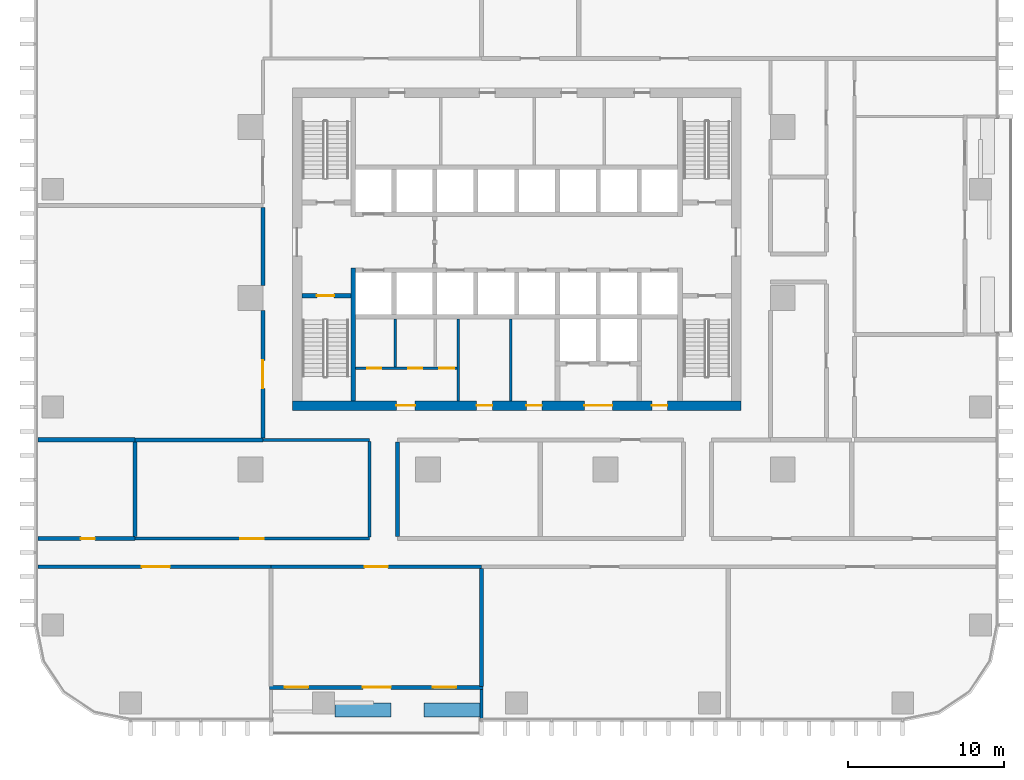
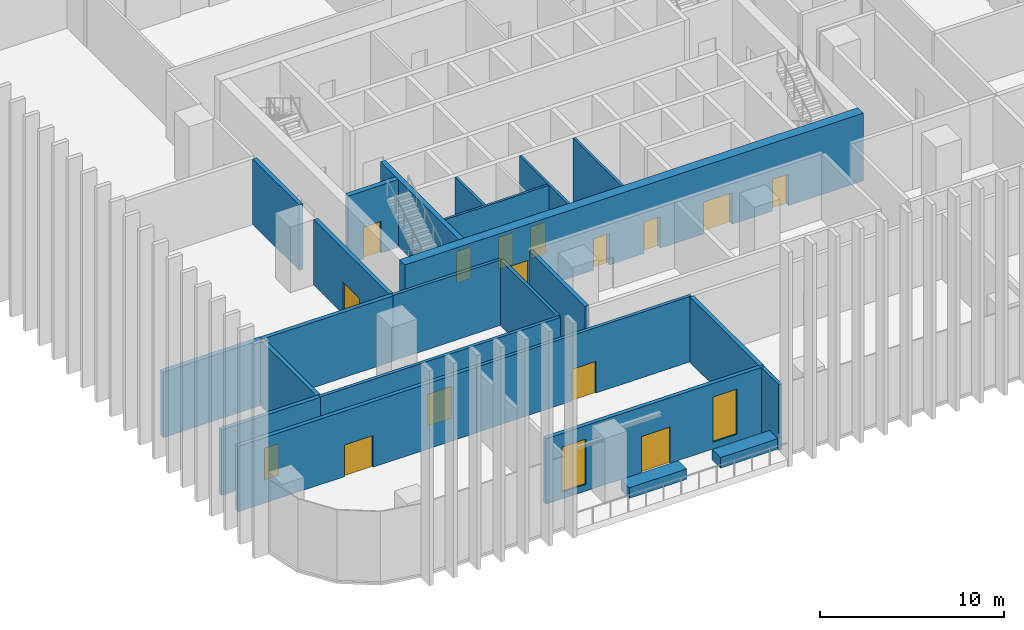
# One storey, part 7 of 17: 24 walls, 15 doors, 2 windows, 17 openings.
"""IFC4 building model written with IfcOpenShell, lengths in metres."""

from ifc_helpers import new_model, si_unit, direction, frame, frame_2d, origin, place, context, subcontext, project, spatial, rectangle, extrude, material, layer, layer_set, type_object, element, fill, save


model = new_model("IFC4")

# Units and contexts
model_context = context("Model", 3, precision=1e-05, world=origin(), true_north=direction((0.0, 1.0)))
body_context = subcontext(model_context, "Body", "Model", "MODEL_VIEW")
ifc_project = project(units=[si_unit("LENGTHUNIT", "METRE"), si_unit("AREAUNIT", "SQUARE_METRE"), si_unit("VOLUMEUNIT", "CUBIC_METRE"), si_unit("PLANEANGLEUNIT", "RADIAN"), si_unit("MASSUNIT", "GRAM", prefix="KILO")], contexts=[model_context])

# Site, building, storey
site_placement = place(None, origin())
site = spatial("IfcSite", under=ifc_project, at=site_placement, CompositionType="ELEMENT")
building_placement = place(site_placement, origin())
building = spatial("IfcBuilding", under=site, at=building_placement, Name="Mopane Tessera Tower", CompositionType="ELEMENT")
storey_placement = place(building_placement, frame((0.0, 0.0, 74.199951171875)))
storey = spatial("IfcBuildingStorey", under=building, at=storey_placement, Name="L14", CompositionType="ELEMENT", Elevation=74.199951171875)

# Wall, openings, doors
ifc_material_1 = material(Name="Fire-rated gypsum board partition")
ifc_layer_1 = layer(ifc_material_1, 0.14990234375)
ifc_layer_set_1 = layer_set([ifc_layer_1], Name="Fire-rated gypsum board partition")
wall_type_1 = type_object("IfcWallType", Name="Core room partition 150 mm", PredefinedType="PARTITIONING", material=ifc_layer_set_1)
wall_1_placement = place(storey_placement, frame((-10.35009765625, -4.5, 0.0), z_axis=(0.0, 0.0, 1.0), x_axis=(1.0, 0.0, 0.0)))
wall_1 = element("IfcWall", 1, at=wall_1_placement, inside=storey, type_object=wall_type_1, Name="L14 WC partition", PredefinedType="PARTITIONING", context=body_context, shape_type="SweptSolid", body=[
    extrude(rectangle(XDim=6.525146484375, YDim=0.14990234375, at=frame_2d((3.2626953125, 0.0))), origin(), (0.0, 0.0, 1.0), 4.5),
])
opening_1_placement = place(wall_1_placement, frame((0.75, 0.0, 0.0)))
opening_1 = element("IfcOpeningElement", 2, at=opening_1_placement, cuts=wall_1, Name="Opening WD1", PredefinedType="OPENING", context=body_context, shape_type="SweptSolid", body=[
    extrude(rectangle(XDim=0.89990234375, YDim=2.10009765625, at=frame_2d((0.449951171875, 1.050048828125))), frame((0.0, 0.0869140625, 0.0), z_axis=(0.0, -1.0, 0.0), x_axis=(1.0, 0.0, 0.0)), (0.0, 0.0, 1.0), 0.173828125),
])
opening_2_placement = place(wall_1_placement, frame((3.382568359375, 0.0, 0.0)))
opening_2 = element("IfcOpeningElement", 3, at=opening_2_placement, cuts=wall_1, Name="Opening WD1", PredefinedType="OPENING", context=body_context, shape_type="SweptSolid", body=[
    extrude(rectangle(XDim=0.89990234375, YDim=2.10009765625, at=frame_2d((0.449951171875, 1.050048828125))), frame((0.0, 0.0869140625, 0.0), z_axis=(0.0, -1.0, 0.0), x_axis=(1.0, 0.0, 0.0)), (0.0, 0.0, 1.0), 0.173828125),
])
opening_3_placement = place(wall_1_placement, frame((5.382568359375, 0.0, 0.0)))
opening_3 = element("IfcOpeningElement", 4, at=opening_3_placement, cuts=wall_1, Name="Opening WD2", PredefinedType="OPENING", context=body_context, shape_type="SweptSolid", body=[
    extrude(rectangle(XDim=0.949951171875, YDim=2.10009765625, at=frame_2d((0.47509765625, 1.050048828125))), frame((0.0, 0.0869140625, 0.0), z_axis=(0.0, -1.0, 0.0), x_axis=(1.0, 0.0, 0.0)), (0.0, 0.0, 1.0), 0.173828125),
])
ifc_material_2 = material(Name="Timber door", Category="wood")
door_type_1 = type_object("IfcDoorType", Name="Accessible WC door 950 x 2100", OperationType="SINGLE_SWING_LEFT", PredefinedType="DOOR", material=ifc_material_2)
door_1_placement = place(opening_3_placement, origin())
door_1 = element("IfcDoor", 5, at=door_1_placement, inside=storey, type_object=door_type_1, Name="L14 Accessible WC door", OperationType="SINGLE_SWING_LEFT", OverallHeight=2.10009765625, OverallWidth=0.949951171875, PredefinedType="DOOR", context=body_context, shape_type="SweptSolid", body=[
    extrude(rectangle(XDim=0.949951171875, YDim=2.10009765625, at=frame_2d((0.47509765625, 1.050048828125))), frame((0.0, 0.02490234375, 0.0), z_axis=(0.0, -1.0, 0.0), x_axis=(1.0, 0.0, 0.0)), (0.0, 0.0, 1.0), 0.050048828125),
])
fill(opening_3, door_1)
ifc_material_3 = material(Name="Timber door", Category="wood")
door_type_2 = type_object("IfcDoorType", Name="WC cubicle door 900 x 2100", OperationType="SINGLE_SWING_LEFT", PredefinedType="DOOR", material=ifc_material_3)
door_2_placement = place(opening_1_placement, origin())
door_2 = element("IfcDoor", 6, at=door_2_placement, inside=storey, type_object=door_type_2, Name="L14 Men's WC door", OperationType="SINGLE_SWING_LEFT", OverallHeight=2.10009765625, OverallWidth=0.89990234375, PredefinedType="DOOR", context=body_context, shape_type="SweptSolid", body=[
    extrude(rectangle(XDim=0.89990234375, YDim=2.10009765625, at=frame_2d((0.449951171875, 1.050048828125))), frame((0.0, 0.02490234375, 0.0), z_axis=(0.0, -1.0, 0.0), x_axis=(1.0, 0.0, 0.0)), (0.0, 0.0, 1.0), 0.050048828125),
])
fill(opening_1, door_2)
door_3_placement = place(opening_2_placement, origin())
door_3 = element("IfcDoor", 7, at=door_3_placement, inside=storey, type_object=door_type_2, Name="L14 Women's WC door", OperationType="SINGLE_SWING_LEFT", OverallHeight=2.10009765625, OverallWidth=0.89990234375, PredefinedType="DOOR", context=body_context, shape_type="SweptSolid", body=[
    extrude(rectangle(XDim=0.89990234375, YDim=2.10009765625, at=frame_2d((0.449951171875, 1.050048828125))), frame((0.0, 0.02490234375, 0.0), z_axis=(0.0, -1.0, 0.0), x_axis=(1.0, 0.0, 0.0)), (0.0, 0.0, 1.0), 0.050048828125),
])
fill(opening_2, door_3)

# Walls
wall_2_placement = place(storey_placement, frame((-7.800048828125, -4.425048828125, 0.0), z_axis=(0.0, 0.0, 1.0), x_axis=(0.0, 1.0, 0.0)))
element("IfcWall", 8, at=wall_2_placement, inside=storey, type_object=wall_type_1, Name="L14 WC partition", PredefinedType="PARTITIONING", context=body_context, shape_type="SweptSolid", body=[
    extrude(rectangle(XDim=3.074951171875, YDim=0.14990234375, at=frame_2d((1.53759765625, 0.0))), origin(), (0.0, 0.0, 1.0), 4.5),
])
for number, where, z_axis, x_axis, name in (
    (9, (-3.75, -6.60009765625, 0.0), (0.0, 0.0, 1.0), (0.0, 1.0, 0.0), "L14 Room partition"),
    (10, (-0.375, -6.60009765625, 0.0), (0.0, 0.0, 1.0), (0.0, 1.0, 0.0), "L14 Room partition"),
):
    element("IfcWall", number, at=place(storey_placement, frame(where, z_axis=z_axis, x_axis=x_axis)), inside=storey, type_object=wall_type_1, Name=name, PredefinedType="PARTITIONING", context=body_context, shape_type="SweptSolid", body=[
        extrude(rectangle(XDim=5.25, YDim=0.14990234375, at=frame_2d((2.625, 0.0))), origin(), (0.0, 0.0, 1.0), 4.5),
    ])

# Wall, openings, doors
ifc_material_4 = material(Name="Concrete C70/85", Category="concrete")
ifc_layer_2 = layer(ifc_material_4, 0.60009765625)
ifc_layer_set_2 = layer_set([ifc_layer_2], Name="Concrete C70/85")
wall_type_2 = type_object("IfcWallType", Name="Core shear wall 600 mm", PredefinedType="SHEAR", material=ifc_layer_set_2)
wall_3_placement = place(storey_placement, frame((-14.39990234375, -6.89990234375, 0.0), z_axis=(0.0, 0.0, 1.0), x_axis=(1.0, 0.0, 0.0)))
wall_3 = element("IfcWall", 11, at=wall_3_placement, inside=storey, type_object=wall_type_2, Name="L14 Core wall south", PredefinedType="SHEAR", context=body_context, shape_type="SweptSolid", body=[
    extrude(rectangle(XDim=28.7998046875, YDim=0.60009765625, at=frame_2d((14.39990234375, 0.0))), origin(), (0.0, 0.0, 1.0), 4.5),
])
opening_4_placement = place(wall_3_placement, frame((6.675048828125, 0.0, 0.0)))
opening_4 = element("IfcOpeningElement", 12, at=opening_4_placement, cuts=wall_3, Name="Opening WD3", PredefinedType="OPENING", context=body_context, shape_type="SweptSolid", body=[
    extrude(rectangle(XDim=1.199951171875, YDim=2.10009765625, at=frame_2d((0.60009765625, 1.050048828125))), frame((0.0, 0.31201171875, 0.0), z_axis=(0.0, -1.0, 0.0), x_axis=(1.0, 0.0, 0.0)), (0.0, 0.0, 1.0), 0.6240234375),
])
opening_5_placement = place(wall_3_placement, frame((11.83740234375, 0.0, 0.0)))
opening_5 = element("IfcOpeningElement", 13, at=opening_5_placement, cuts=wall_3, Name="Opening RD1", PredefinedType="OPENING", context=body_context, shape_type="SweptSolid", body=[
    extrude(rectangle(XDim=1.0, YDim=2.10009765625, at=frame_2d((0.5, 1.050048828125))), frame((0.0, 0.31201171875, 0.0), z_axis=(0.0, -1.0, 0.0), x_axis=(1.0, 0.0, 0.0)), (0.0, 0.0, 1.0), 0.6240234375),
])
opening_6_placement = place(wall_3_placement, frame((15.02490234375, 0.0, 0.0)))
opening_6 = element("IfcOpeningElement", 14, at=opening_6_placement, cuts=wall_3, Name="Opening RD1", PredefinedType="OPENING", context=body_context, shape_type="SweptSolid", body=[
    extrude(rectangle(XDim=1.0, YDim=2.10009765625, at=frame_2d((0.5, 1.050048828125))), frame((0.0, 0.31201171875, 0.0), z_axis=(0.0, -1.0, 0.0), x_axis=(1.0, 0.0, 0.0)), (0.0, 0.0, 1.0), 0.6240234375),
])
opening_7_placement = place(wall_3_placement, frame((18.75, 0.0, 0.0)))
opening_7 = element("IfcOpeningElement", 15, at=opening_7_placement, cuts=wall_3, Name="Opening SD2", PredefinedType="OPENING", context=body_context, shape_type="SweptSolid", body=[
    extrude(rectangle(XDim=1.800048828125, YDim=2.10009765625, at=frame_2d((0.89990234375, 1.050048828125))), frame((0.0, 0.31201171875, 0.0), z_axis=(0.0, -1.0, 0.0), x_axis=(1.0, 0.0, 0.0)), (0.0, 0.0, 1.0), 0.6240234375),
])
opening_8_placement = place(wall_3_placement, frame((23.08740234375, 0.0, 0.0)))
opening_8 = element("IfcOpeningElement", 16, at=opening_8_placement, cuts=wall_3, Name="Opening RD1", PredefinedType="OPENING", context=body_context, shape_type="SweptSolid", body=[
    extrude(rectangle(XDim=1.0, YDim=2.10009765625, at=frame_2d((0.5, 1.050048828125))), frame((0.0, 0.31201171875, 0.0), z_axis=(0.0, -1.0, 0.0), x_axis=(1.0, 0.0, 0.0)), (0.0, 0.0, 1.0), 0.6240234375),
])
ifc_material_5 = material(Name="Steel fire door", Category="steel")
door_type_3 = type_object("IfcDoorType", Name="Core entrance double door 1800 x 2100", OperationType="DOUBLE_DOOR_SINGLE_SWING", PredefinedType="DOOR", material=ifc_material_5)
door_4_placement = place(opening_7_placement, origin())
door_4 = element("IfcDoor", 17, at=door_4_placement, inside=storey, type_object=door_type_3, Name="L14 Service lobby door", OperationType="DOUBLE_DOOR_SINGLE_SWING", OverallHeight=2.10009765625, OverallWidth=1.800048828125, PredefinedType="DOOR", context=body_context, shape_type="SweptSolid", body=[
    extrude(rectangle(XDim=1.800048828125, YDim=2.10009765625, at=frame_2d((0.89990234375, 1.050048828125))), frame((0.0, 0.02490234375, 0.0), z_axis=(0.0, -1.0, 0.0), x_axis=(1.0, 0.0, 0.0)), (0.0, 0.0, 1.0), 0.050048828125),
])
fill(opening_7, door_4)
ifc_material_6 = material(Name="Timber door", Category="wood")
door_type_4 = type_object("IfcDoorType", Name="Core room door 1000 x 2100", OperationType="SINGLE_SWING_LEFT", PredefinedType="DOOR", material=ifc_material_6)
door_5_placement = place(opening_5_placement, origin())
door_5 = element("IfcDoor", 18, at=door_5_placement, inside=storey, type_object=door_type_4, Name="L14 Room door", OperationType="SINGLE_SWING_LEFT", OverallHeight=2.10009765625, OverallWidth=1.0, PredefinedType="DOOR", context=body_context, shape_type="SweptSolid", body=[
    extrude(rectangle(XDim=1.0, YDim=2.10009765625, at=frame_2d((0.5, 1.050048828125))), frame((0.0, 0.02490234375, 0.0), z_axis=(0.0, -1.0, 0.0), x_axis=(1.0, 0.0, 0.0)), (0.0, 0.0, 1.0), 0.050048828125),
])
fill(opening_5, door_5)
door_6_placement = place(opening_6_placement, origin())
door_6 = element("IfcDoor", 19, at=door_6_placement, inside=storey, type_object=door_type_4, Name="L14 Room door", OperationType="SINGLE_SWING_LEFT", OverallHeight=2.10009765625, OverallWidth=1.0, PredefinedType="DOOR", context=body_context, shape_type="SweptSolid", body=[
    extrude(rectangle(XDim=1.0, YDim=2.10009765625, at=frame_2d((0.5, 1.050048828125))), frame((0.0, 0.02490234375, 0.0), z_axis=(0.0, -1.0, 0.0), x_axis=(1.0, 0.0, 0.0)), (0.0, 0.0, 1.0), 0.050048828125),
])
fill(opening_6, door_6)
door_7_placement = place(opening_8_placement, origin())
door_7 = element("IfcDoor", 20, at=door_7_placement, inside=storey, type_object=door_type_4, Name="L14 Room door", OperationType="SINGLE_SWING_LEFT", OverallHeight=2.10009765625, OverallWidth=1.0, PredefinedType="DOOR", context=body_context, shape_type="SweptSolid", body=[
    extrude(rectangle(XDim=1.0, YDim=2.10009765625, at=frame_2d((0.5, 1.050048828125))), frame((0.0, 0.02490234375, 0.0), z_axis=(0.0, -1.0, 0.0), x_axis=(1.0, 0.0, 0.0)), (0.0, 0.0, 1.0), 0.050048828125),
])
fill(opening_8, door_7)
ifc_material_7 = material(Name="Timber door", Category="wood")
door_type_5 = type_object("IfcDoorType", Name="WC lobby door 1200 x 2100", OperationType="SINGLE_SWING_LEFT", PredefinedType="DOOR", material=ifc_material_7)
door_8_placement = place(opening_4_placement, origin())
door_8 = element("IfcDoor", 21, at=door_8_placement, inside=storey, type_object=door_type_5, Name="L14 WC lobby door", OperationType="SINGLE_SWING_LEFT", OverallHeight=2.10009765625, OverallWidth=1.199951171875, PredefinedType="DOOR", context=body_context, shape_type="SweptSolid", body=[
    extrude(rectangle(XDim=1.199951171875, YDim=2.10009765625, at=frame_2d((0.60009765625, 1.050048828125))), frame((0.0, 0.02490234375, 0.0), z_axis=(0.0, -1.0, 0.0), x_axis=(1.0, 0.0, 0.0)), (0.0, 0.0, 1.0), 0.050048828125),
])
fill(opening_4, door_8)

# Wall
ifc_material_8 = material(Name="Concrete C60/75", Category="concrete")
ifc_layer_3 = layer(ifc_material_8, 0.300048828125)
ifc_layer_set_3 = layer_set([ifc_layer_3], Name="Concrete C60/75")
wall_type_3 = type_object("IfcWallType", Name="Core spine wall 300 mm", PredefinedType="SHEAR", material=ifc_layer_set_3)
wall_4_placement = place(storey_placement, frame((-10.5, -6.60009765625, 0.0), z_axis=(0.0, 0.0, 1.0), x_axis=(0.0, 1.0, 0.0)))
element("IfcWall", 22, at=wall_4_placement, inside=storey, type_object=wall_type_3, Name="L14 Core spine wall", PredefinedType="SHEAR", context=body_context, shape_type="SweptSolid", body=[
    extrude(rectangle(XDim=8.550048828125, YDim=0.300048828125, at=frame_2d((4.27490234375, 0.0))), origin(), (0.0, 0.0, 1.0), 4.5),
])

# Wall, opening, door
ifc_material_9 = material(Name="Gypsum board on steel studs, two layers each face, mineral wool infill", Category="steel")
ifc_layer_4 = layer(ifc_material_9, 0.199951171875)
ifc_layer_set_4 = layer_set([ifc_layer_4], Name="Gypsum board on steel studs, two layers each face, mineral wool infill")
wall_type_4 = type_object("IfcWallType", Name="Gypsum board corridor wall 200, rated EI 60", PredefinedType="PARTITIONING", material=ifc_layer_set_4)
wall_5_placement = place(storey_placement, frame((-15.780029296875, -17.25, 0.0), z_axis=(0.0, 0.0, 1.0), x_axis=(1.0, 0.0, 0.0)))
wall_5 = element("IfcWall", 23, at=wall_5_placement, inside=storey, type_object=wall_type_4, Name="Partition L14:000", PredefinedType="PARTITIONING", context=body_context, shape_type="SweptSolid", body=[
    extrude(rectangle(XDim=13.525146484375, YDim=0.199951171875, at=frame_2d((6.7626953125, 0.0))), origin(), (0.0, 0.0, 1.0), 4.35009765625),
])
opening_9_placement = place(wall_5_placement, frame((6.012451171875, 0.0, 0.0)))
opening_9 = element("IfcOpeningElement", 24, at=opening_9_placement, cuts=wall_5, Name="Opening L14-20", PredefinedType="OPENING", context=body_context, shape_type="SweptSolid", body=[
    extrude(rectangle(XDim=1.5, YDim=2.10009765625, at=frame_2d((0.75, 1.050048828125))), frame((0.0, 0.112060546875, 0.0), z_axis=(0.0, -1.0, 0.0), x_axis=(1.0, 0.0, 0.0)), (0.0, 0.0, 1.0), 0.223876953125),
])
ifc_material_10 = material(Name="Timber veneered steel-framed fire door", Category="steel")
door_type_6 = type_object("IfcDoorType", Name="Fire door pair FD60 1500 x 2100", OperationType="DOUBLE_DOOR_SINGLE_SWING", PredefinedType="DOOR", material=ifc_material_10)
door_9_placement = place(opening_9_placement, origin())
door_9 = element("IfcDoor", 25, at=door_9_placement, inside=storey, type_object=door_type_6, Name="Door L14-20", ObjectType="D17A", OperationType="DOUBLE_DOOR_SINGLE_SWING", OverallHeight=2.10009765625, OverallWidth=1.5, PredefinedType="DOOR", context=body_context, shape_type="SweptSolid", body=[
    extrude(rectangle(XDim=1.5, YDim=2.10009765625, at=frame_2d((0.75, 1.050048828125))), frame((0.0, 0.02490234375, 0.0), z_axis=(0.0, -1.0, 0.0), x_axis=(1.0, 0.0, 0.0)), (0.0, 0.0, 1.0), 0.050048828125),
])
fill(opening_9, door_9)

wall_6_placement = place(storey_placement, frame((-24.52490234375, -15.449951171875, 0.0), z_axis=(0.0, 0.0, 1.0), x_axis=(1.0, 0.0, 0.0)))
wall_6 = element("IfcWall", 26, at=wall_6_placement, inside=storey, type_object=wall_type_4, Name="Partition L14:003", PredefinedType="PARTITIONING", context=body_context, shape_type="SweptSolid", body=[
    extrude(rectangle(XDim=15.06982421875, YDim=0.199951171875, at=frame_2d((7.534912109375, 0.0))), origin(), (0.0, 0.0, 1.0), 4.35009765625),
])
opening_10_placement = place(wall_6_placement, frame((6.784912109375, 0.0, 0.0)))
opening_10 = element("IfcOpeningElement", 27, at=opening_10_placement, cuts=wall_6, Name="Opening L14-15", PredefinedType="OPENING", context=body_context, shape_type="SweptSolid", body=[
    extrude(rectangle(XDim=1.5, YDim=2.10009765625, at=frame_2d((0.75, 1.050048828125))), frame((0.0, 0.112060546875, 0.0), z_axis=(0.0, -1.0, 0.0), x_axis=(1.0, 0.0, 0.0)), (0.0, 0.0, 1.0), 0.223876953125),
])
door_10_placement = place(opening_10_placement, origin())
door_10 = element("IfcDoor", 28, at=door_10_placement, inside=storey, type_object=door_type_6, Name="Door L14-15", ObjectType="D17A", OperationType="DOUBLE_DOOR_SINGLE_SWING", OverallHeight=2.10009765625, OverallWidth=1.5, PredefinedType="DOOR", context=body_context, shape_type="SweptSolid", body=[
    extrude(rectangle(XDim=1.5, YDim=2.10009765625, at=frame_2d((0.75, 1.050048828125))), frame((0.0, 0.02490234375, 0.0), z_axis=(0.0, -1.0, 0.0), x_axis=(1.0, 0.0, 0.0)), (0.0, 0.0, 1.0), 0.050048828125),
])
fill(opening_10, door_10)

# Walls
wall_7_placement = place(storey_placement, frame((-16.300048828125, -9.10009765625, 0.0), z_axis=(0.0, 0.0, 1.0), x_axis=(1.0, 0.0, 0.0)))
element("IfcWall", 29, at=wall_7_placement, inside=storey, type_object=wall_type_4, Name="Partition L14:007", PredefinedType="PARTITIONING", context=body_context, shape_type="SweptSolid", body=[
    extrude(rectangle(XDim=6.844970703125, YDim=0.199951171875, at=frame_2d((3.42236328125, 0.0))), origin(), (0.0, 0.0, 1.0), 4.35009765625),
])
wall_8_placement = place(storey_placement, frame((-9.455078125, -15.35009765625, 0.0), z_axis=(0.0, 0.0, 1.0), x_axis=(0.0, 1.0, 0.0)))
element("IfcWall", 30, at=wall_8_placement, inside=storey, type_object=wall_type_4, Name="Partition L14:030", PredefinedType="PARTITIONING", context=body_context, shape_type="SweptSolid", body=[
    extrude(rectangle(XDim=6.150146484375, YDim=0.199951171875, at=frame_2d((3.0751953125, 0.0))), origin(), (0.0, 0.0, 1.0), 4.35009765625),
])

# Wall, opening, door
ifc_material_11 = material(Name="Concrete C50/60", Category="concrete")
ifc_layer_5 = layer(ifc_material_11, 0.300048828125)
ifc_layer_set_5 = layer_set([ifc_layer_5], Name="Concrete C50/60")
wall_type_5 = type_object("IfcWallType", Name="Lift and stair shaft wall 300 mm", PredefinedType="SOLIDWALL", material=ifc_layer_set_5)
wall_9_placement = place(storey_placement, frame((-13.800048828125, 0.14990234375, 0.0), z_axis=(0.0, 0.0, 1.0), x_axis=(1.0, 0.0, 0.0)))
wall_9 = element("IfcWall", 31, at=wall_9_placement, inside=storey, type_object=wall_type_5, Name="L14 Stair enclosure wall", PredefinedType="SOLIDWALL", context=body_context, shape_type="SweptSolid", body=[
    extrude(rectangle(XDim=3.150146484375, YDim=0.300048828125, at=frame_2d((1.5751953125, 0.0))), origin(), (0.0, 0.0, 1.0), 4.5),
])
opening_11_placement = place(wall_9_placement, frame((0.97509765625, 0.0, 0.0)))
opening_11 = element("IfcOpeningElement", 32, at=opening_11_placement, cuts=wall_9, Name="Opening SD1", PredefinedType="OPENING", context=body_context, shape_type="SweptSolid", body=[
    extrude(rectangle(XDim=1.10009765625, YDim=2.10009765625, at=frame_2d((0.550048828125, 1.050048828125))), frame((0.0, 0.162109375, 0.0), z_axis=(0.0, -1.0, 0.0), x_axis=(1.0, 0.0, 0.0)), (0.0, 0.0, 1.0), 0.323974609375),
])
ifc_material_12 = material(Name="Steel fire door", Category="steel")
door_type_7 = type_object("IfcDoorType", Name="Stair fire door 1100 x 2100", OperationType="SINGLE_SWING_LEFT", PredefinedType="DOOR", material=ifc_material_12)
door_11_placement = place(opening_11_placement, origin())
door_11 = element("IfcDoor", 33, at=door_11_placement, inside=storey, type_object=door_type_7, Name="L14 Stair door ST1", OperationType="SINGLE_SWING_LEFT", OverallHeight=2.10009765625, OverallWidth=1.10009765625, PredefinedType="DOOR", context=body_context, shape_type="SweptSolid", body=[
    extrude(rectangle(XDim=1.10009765625, YDim=2.10009765625, at=frame_2d((0.550048828125, 1.050048828125))), frame((0.0, 0.02490234375, 0.0), z_axis=(0.0, -1.0, 0.0), x_axis=(1.0, 0.0, 0.0)), (0.0, 0.0, 1.0), 0.050048828125),
])
fill(opening_11, door_11)

# Walls
ifc_material_13 = material(Name="Reinforced concrete C32/40 with waterproofing", Category="concrete")
ifc_layer_6 = layer(ifc_material_13, 0.89990234375)
ifc_layer_set_6 = layer_set([ifc_layer_6], Name="Reinforced concrete C32/40 with waterproofing")
wall_type_6 = type_object("IfcWallType", Name="Planter trough 3600 x 900", PredefinedType="STANDARD", material=ifc_layer_set_6)
for number, where, z_axis, x_axis, name in (
    (34, (-11.679931640625, -26.449951171875, 0.0), (0.0, 0.0, 1.0), (1.0, 0.0, 0.0), "e:nw:L14:N3:pl0"),
    (35, (-5.95458984375, -26.449951171875, 0.0), (0.0, 0.0, 1.0), (1.0, 0.0, 0.0), "e:nw:L14:N3:pl1"),
):
    element("IfcWall", number, at=place(storey_placement, frame(where, z_axis=z_axis, x_axis=x_axis)), inside=storey, type_object=wall_type_6, Name=name, PredefinedType="STANDARD", context=body_context, shape_type="SweptSolid", body=[
        extrude(rectangle(XDim=3.60009765625, YDim=0.89990234375, at=frame_2d((1.800048828125, 0.0))), origin(), (0.0, 0.0, 1.0), 0.699951171875),
    ])
ifc_material_14 = material(Name="Plastered concrete blockwork C20/25", Category="masonry")
ifc_layer_7 = layer(ifc_material_14, 0.300048828125)
ifc_layer_set_7 = layer_set([ifc_layer_7], Name="Plastered concrete blockwork C20/25")
wall_type_7 = type_object("IfcWallType", Name="Plastered blockwork separation wall 300, rated EI 120", PredefinedType="PARTITIONING", material=ifc_layer_set_7)
wall_10_placement = place(storey_placement, frame((-30.75, -9.10009765625, 0.0), z_axis=(0.0, 0.0, 1.0), x_axis=(1.0, 0.0, 0.0)))
element("IfcWall", 36, at=wall_10_placement, inside=storey, type_object=wall_type_7, Name="Partition L14:012", PredefinedType="PARTITIONING", context=body_context, shape_type="SweptSolid", body=[
    extrude(rectangle(XDim=6.22509765625, YDim=0.300048828125, at=frame_2d((3.112548828125, 0.0))), origin(), (0.0, 0.0, 1.0), 4.35009765625),
])

# Wall, opening, door
ifc_material_15 = material(Name="Plastered concrete blockwork C20/25", Category="masonry")
ifc_layer_8 = layer(ifc_material_15, 0.25)
ifc_layer_set_8 = layer_set([ifc_layer_8], Name="Plastered concrete blockwork C20/25")
wall_type_8 = type_object("IfcWallType", Name="Plastered blockwork wall 250, rated EI 120", PredefinedType="PARTITIONING", material=ifc_layer_set_8)
wall_11_placement = place(storey_placement, frame((-30.75, -17.25, 0.0), z_axis=(0.0, 0.0, 1.0), x_axis=(1.0, 0.0, 0.0)))
wall_11 = element("IfcWall", 37, at=wall_11_placement, inside=storey, type_object=wall_type_8, Name="Partition L14:001", PredefinedType="PARTITIONING", context=body_context, shape_type="SweptSolid", body=[
    extrude(rectangle(XDim=14.969970703125, YDim=0.25, at=frame_2d((7.48486328125, 0.0))), origin(), (0.0, 0.0, 1.0), 4.35009765625),
])
opening_12_placement = place(wall_11_placement, frame((6.68505859375, 0.0, 0.0)))
opening_12 = element("IfcOpeningElement", 38, at=opening_12_placement, cuts=wall_11, Name="Opening L14-05", PredefinedType="OPENING", context=body_context, shape_type="SweptSolid", body=[
    extrude(rectangle(XDim=1.800048828125, YDim=2.10009765625, at=frame_2d((0.89990234375, 1.050048828125))), frame((0.0, 0.136962890625, 0.0), z_axis=(0.0, -1.0, 0.0), x_axis=(1.0, 0.0, 0.0)), (0.0, 0.0, 1.0), 0.27392578125),
])
ifc_material_16 = material(Name="Timber veneered steel-framed fire door", Category="steel")
door_type_8 = type_object("IfcDoorType", Name="Fire door pair FD120 1800 x 2100", OperationType="DOUBLE_DOOR_SINGLE_SWING", PredefinedType="DOOR", material=ifc_material_16)
door_12_placement = place(opening_12_placement, origin())
door_12 = element("IfcDoor", 39, at=door_12_placement, inside=storey, type_object=door_type_8, Name="Door L14-05", ObjectType="D20B", OperationType="DOUBLE_DOOR_SINGLE_SWING", OverallHeight=2.10009765625, OverallWidth=1.800048828125, PredefinedType="DOOR", context=body_context, shape_type="SweptSolid", body=[
    extrude(rectangle(XDim=1.800048828125, YDim=2.10009765625, at=frame_2d((0.89990234375, 1.050048828125))), frame((0.0, 0.02490234375, 0.0), z_axis=(0.0, -1.0, 0.0), x_axis=(1.0, 0.0, 0.0)), (0.0, 0.0, 1.0), 0.050048828125),
])
fill(opening_12, door_12)

wall_12_placement = place(storey_placement, frame((-30.75, -15.449951171875, 0.0), z_axis=(0.0, 0.0, 1.0), x_axis=(1.0, 0.0, 0.0)))
wall_12 = element("IfcWall", 40, at=wall_12_placement, inside=storey, type_object=wall_type_8, Name="Partition L14:004", PredefinedType="PARTITIONING", context=body_context, shape_type="SweptSolid", body=[
    extrude(rectangle(XDim=6.22509765625, YDim=0.25, at=frame_2d((3.112548828125, 0.0))), origin(), (0.0, 0.0, 1.0), 4.35009765625),
])
opening_13_placement = place(wall_12_placement, frame((2.762451171875, 0.0, 0.0)))
opening_13 = element("IfcOpeningElement", 41, at=opening_13_placement, cuts=wall_12, Name="Opening L14-12", PredefinedType="OPENING", context=body_context, shape_type="SweptSolid", body=[
    extrude(rectangle(XDim=0.89990234375, YDim=2.10009765625, at=frame_2d((0.449951171875, 1.050048828125))), frame((0.0, 0.136962890625, 0.0), z_axis=(0.0, -1.0, 0.0), x_axis=(1.0, 0.0, 0.0)), (0.0, 0.0, 1.0), 0.27392578125),
])
ifc_material_17 = material(Name="Timber veneered steel-framed fire door", Category="steel")
door_type_9 = type_object("IfcDoorType", Name="Fire door FD120 900 x 2100", OperationType="SINGLE_SWING_LEFT", PredefinedType="DOOR", material=ifc_material_17)
door_13_placement = place(opening_13_placement, origin())
door_13 = element("IfcDoor", 42, at=door_13_placement, inside=storey, type_object=door_type_9, Name="Door L14-12", ObjectType="D10B", OperationType="SINGLE_SWING_RIGHT", OverallHeight=2.10009765625, OverallWidth=0.89990234375, PredefinedType="DOOR", context=body_context, shape_type="SweptSolid", body=[
    extrude(rectangle(XDim=0.89990234375, YDim=2.10009765625, at=frame_2d((0.449951171875, 1.050048828125))), frame((0.0, 0.02490234375, 0.0), z_axis=(0.0, -1.0, 0.0), x_axis=(1.0, 0.0, 0.0)), (0.0, 0.0, 1.0), 0.050048828125),
])
fill(opening_13, door_13)

# Walls
wall_13_placement = place(storey_placement, frame((-24.52490234375, -9.10009765625, 0.0), z_axis=(0.0, 0.0, 1.0), x_axis=(1.0, 0.0, 0.0)))
element("IfcWall", 43, at=wall_13_placement, inside=storey, type_object=wall_type_8, Name="Partition L14:008", PredefinedType="PARTITIONING", context=body_context, shape_type="SweptSolid", body=[
    extrude(rectangle(XDim=8.224853515625, YDim=0.25, at=frame_2d((4.1123046875, 0.0))), origin(), (0.0, 0.0, 1.0), 4.35009765625),
])
wall_14_placement = place(storey_placement, frame((-24.52490234375, -15.324951171875, 0.0), z_axis=(0.0, 0.0, 1.0), x_axis=(0.0, 1.0, 0.0)))
element("IfcWall", 44, at=wall_14_placement, inside=storey, type_object=wall_type_8, Name="Partition L14:023", PredefinedType="PARTITIONING", context=body_context, shape_type="SweptSolid", body=[
    extrude(rectangle(XDim=6.074951171875, YDim=0.25, at=frame_2d((3.03759765625, 0.0))), origin(), (0.0, 0.0, 1.0), 4.35009765625),
])

# Wall, opening, door
wall_15_placement = place(storey_placement, frame((-16.300048828125, -8.97509765625, 0.0), z_axis=(0.0, 0.0, 1.0), x_axis=(0.0, 1.0, 0.0)))
wall_15 = element("IfcWall", 45, at=wall_15_placement, inside=storey, type_object=wall_type_8, Name="Partition L14:026", PredefinedType="PARTITIONING", context=body_context, shape_type="SweptSolid", body=[
    extrude(rectangle(XDim=8.175048828125, YDim=0.25, at=frame_2d((4.08740234375, 0.0))), origin(), (0.0, 0.0, 1.0), 4.35009765625),
])
opening_14_placement = place(wall_15_placement, frame((3.1875, 0.0, 0.0)))
opening_14 = element("IfcOpeningElement", 46, at=opening_14_placement, cuts=wall_15, Name="Opening L14-07", PredefinedType="OPENING", context=body_context, shape_type="SweptSolid", body=[
    extrude(rectangle(XDim=1.800048828125, YDim=2.10009765625, at=frame_2d((0.89990234375, 1.050048828125))), frame((0.0, 0.136962890625, 0.0), z_axis=(0.0, -1.0, 0.0), x_axis=(1.0, 0.0, 0.0)), (0.0, 0.0, 1.0), 0.27392578125),
])
door_14_placement = place(opening_14_placement, origin())
door_14 = element("IfcDoor", 47, at=door_14_placement, inside=storey, type_object=door_type_8, Name="Door L14-07", ObjectType="D20B", OperationType="DOUBLE_DOOR_SINGLE_SWING", OverallHeight=2.10009765625, OverallWidth=1.800048828125, PredefinedType="DOOR", context=body_context, shape_type="SweptSolid", body=[
    extrude(rectangle(XDim=1.800048828125, YDim=2.10009765625, at=frame_2d((0.89990234375, 1.050048828125))), frame((0.0, 0.02490234375, 0.0), z_axis=(0.0, -1.0, 0.0), x_axis=(1.0, 0.0, 0.0)), (0.0, 0.0, 1.0), 0.050048828125),
])
fill(opening_14, door_14)

# Walls
wall_16_placement = place(storey_placement, frame((-16.300048828125, 0.800048828125, 0.0), z_axis=(0.0, 0.0, 1.0), x_axis=(0.0, 1.0, 0.0)))
element("IfcWall", 48, at=wall_16_placement, inside=storey, type_object=wall_type_8, Name="Partition L14:027", PredefinedType="PARTITIONING", context=body_context, shape_type="SweptSolid", body=[
    extrude(rectangle(XDim=5.034912109375, YDim=0.25, at=frame_2d((2.517578125, 0.0))), origin(), (0.0, 0.0, 1.0), 4.35009765625),
])
wall_17_placement = place(storey_placement, frame((-7.655029296875, -15.324951171875, 0.0), z_axis=(0.0, 0.0, 1.0), x_axis=(0.0, 1.0, 0.0)))
element("IfcWall", 49, at=wall_17_placement, inside=storey, type_object=wall_type_8, Name="Partition L14:031", PredefinedType="PARTITIONING", context=body_context, shape_type="SweptSolid", body=[
    extrude(rectangle(XDim=6.099853515625, YDim=0.25, at=frame_2d((3.0498046875, 0.0))), origin(), (0.0, 0.0, 1.0), 4.35009765625),
])
wall_18_placement = place(storey_placement, frame((-2.2548828125, -24.949951171875, 0.0), z_axis=(0.0, 0.0, 1.0), x_axis=(0.0, 1.0, 0.0)))
element("IfcWall", 50, at=wall_18_placement, inside=storey, type_object=wall_type_8, Name="Partition L14:032", PredefinedType="PARTITIONING", context=body_context, shape_type="SweptSolid", body=[
    extrude(rectangle(XDim=7.574951171875, YDim=0.25, at=frame_2d((3.78759765625, 0.0))), origin(), (0.0, 0.0, 1.0), 4.35009765625),
])
ifc_material_18 = material(Name="Blockwork with glazed tile facing", Category="masonry")
ifc_layer_9 = layer(ifc_material_18, 0.199951171875)
ifc_layer_set_9 = layer_set([ifc_layer_9], Name="Blockwork with glazed tile facing")
wall_type_9 = type_object("IfcWallType", Name="Terrace cheek wall 200", PredefinedType="STANDARD", material=ifc_layer_set_9)
wall_19_placement = place(storey_placement, frame((-2.254638671875, -27.0, 0.0), z_axis=(0.0, 0.0, 1.0), x_axis=(0.0, 1.0, 0.0)))
element("IfcWall", 51, at=wall_19_placement, inside=storey, type_object=wall_type_9, Name="e:nw:L14:N3:cheekb", PredefinedType="STANDARD", context=body_context, shape_type="SweptSolid", body=[
    extrude(rectangle(XDim=1.875, YDim=0.199951171875, at=frame_2d((0.9375, 0.0))), origin(), (0.0, 0.0, 1.0), 4.35009765625),
])

# Wall, openings, windows, door
ifc_material_19 = material(Name="Blockwork with ochre glazed tile facing", Category="masonry")
ifc_layer_10 = layer(ifc_material_19, 0.25)
ifc_layer_set_10 = layer_set([ifc_layer_10], Name="Blockwork with ochre glazed tile facing")
wall_type_10 = type_object("IfcWallType", Name="Tile-clad external wall 250, ochre", PredefinedType="STANDARD", material=ifc_layer_set_10)
wall_20_placement = place(storey_placement, frame((-15.8818359375, -25.0, 0.0), z_axis=(0.0, 0.0, 1.0), x_axis=(1.0, 0.0, 0.0)))
wall_20 = element("IfcWall", 52, at=wall_20_placement, inside=storey, type_object=wall_type_10, Name="e:nw:L14:N3:back", PredefinedType="STANDARD", context=body_context, shape_type="SweptSolid", body=[
    extrude(rectangle(XDim=13.727294921875, YDim=0.25, at=frame_2d((6.86376953125, 0.0))), origin(), (0.0, 0.0, 1.0), 4.35009765625),
])
opening_15_placement = place(wall_20_placement, frame((1.0, 0.0, 0.449951171875)))
opening_15 = element("IfcOpeningElement", 53, at=opening_15_placement, cuts=wall_20, Name="Opening NW143A", PredefinedType="OPENING", context=body_context, shape_type="SweptSolid", body=[
    extrude(rectangle(XDim=1.5, YDim=3.0, at=frame_2d((0.75, 1.5))), frame((0.0, 0.136962890625, 0.0), z_axis=(0.0, -1.0, 0.0), x_axis=(1.0, 0.0, 0.0)), (0.0, 0.0, 1.0), 0.27392578125),
])
opening_16_placement = place(wall_20_placement, frame((6.0, 0.0, 0.0)))
opening_16 = element("IfcOpeningElement", 54, at=opening_16_placement, cuts=wall_20, Name="Opening ND143", PredefinedType="OPENING", context=body_context, shape_type="SweptSolid", body=[
    extrude(rectangle(XDim=1.800048828125, YDim=2.39990234375, at=frame_2d((0.89990234375, 1.199951171875))), frame((0.0, 0.136962890625, 0.0), z_axis=(0.0, -1.0, 0.0), x_axis=(1.0, 0.0, 0.0)), (0.0, 0.0, 1.0), 0.27392578125),
])
opening_17_placement = place(wall_20_placement, frame((10.5, 0.0, 0.449951171875)))
opening_17 = element("IfcOpeningElement", 55, at=opening_17_placement, cuts=wall_20, Name="Opening NW143B", PredefinedType="OPENING", context=body_context, shape_type="SweptSolid", body=[
    extrude(rectangle(XDim=1.5, YDim=3.0, at=frame_2d((0.75, 1.5))), frame((0.0, 0.136962890625, 0.0), z_axis=(0.0, -1.0, 0.0), x_axis=(1.0, 0.0, 0.0)), (0.0, 0.0, 1.0), 0.27392578125),
])
ifc_material_20 = material(Name="Clear laminated glass", Category="glass")
window_type = type_object("IfcWindowType", Name="Fixed window 1500 x 3000", PartitioningType="SINGLE_PANEL", PredefinedType="WINDOW", material=ifc_material_20)
window_1_placement = place(opening_15_placement, origin())
window_1 = element("IfcWindow", 56, at=window_1_placement, inside=storey, type_object=window_type, Name="e:nw:L14:N3:win0", OverallHeight=3.0, OverallWidth=1.5, PartitioningType="SINGLE_PANEL", PredefinedType="WINDOW", context=body_context, shape_type="SweptSolid", body=[
    extrude(rectangle(XDim=1.5, YDim=3.0, at=frame_2d((0.75, 1.5))), frame((0.0, 0.030029296875, 0.0), z_axis=(0.0, -1.0, 0.0), x_axis=(1.0, 0.0, 0.0)), (0.0, 0.0, 1.0), 0.06005859375),
])
fill(opening_15, window_1)
window_2_placement = place(opening_17_placement, origin())
window_2 = element("IfcWindow", 57, at=window_2_placement, inside=storey, type_object=window_type, Name="e:nw:L14:N3:win2", OverallHeight=3.0, OverallWidth=1.5, PartitioningType="SINGLE_PANEL", PredefinedType="WINDOW", context=body_context, shape_type="SweptSolid", body=[
    extrude(rectangle(XDim=1.5, YDim=3.0, at=frame_2d((0.75, 1.5))), frame((0.0, 0.030029296875, 0.0), z_axis=(0.0, -1.0, 0.0), x_axis=(1.0, 0.0, 0.0)), (0.0, 0.0, 1.0), 0.06005859375),
])
fill(opening_17, window_2)
ifc_material_21 = material(Name="Aluminium and clear glass", Category="aluminium")
door_type_10 = type_object("IfcDoorType", Name="Terrace double door 1800 x 2400", OperationType="DOUBLE_DOOR_SINGLE_SWING", PredefinedType="DOOR", material=ifc_material_21)
door_15_placement = place(opening_16_placement, origin())
door_15 = element("IfcDoor", 58, at=door_15_placement, inside=storey, type_object=door_type_10, Name="e:nw:L14:N3:door", ObjectType="D1", OperationType="DOUBLE_DOOR_SINGLE_SWING", OverallHeight=2.39990234375, OverallWidth=1.800048828125, PredefinedType="DOOR", context=body_context, shape_type="SweptSolid", body=[
    extrude(rectangle(XDim=1.800048828125, YDim=2.39990234375, at=frame_2d((0.89990234375, 1.199951171875))), frame((0.0, 0.02490234375, 0.0), z_axis=(0.0, -1.0, 0.0), x_axis=(1.0, 0.0, 0.0)), (0.0, 0.0, 1.0), 0.050048828125),
])
fill(opening_16, door_15)

save(model, "model.ifc")
